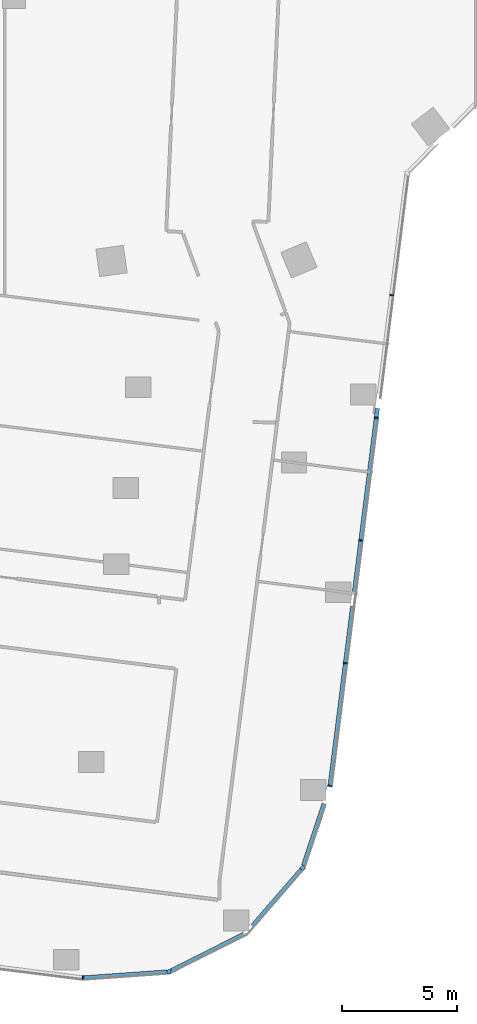
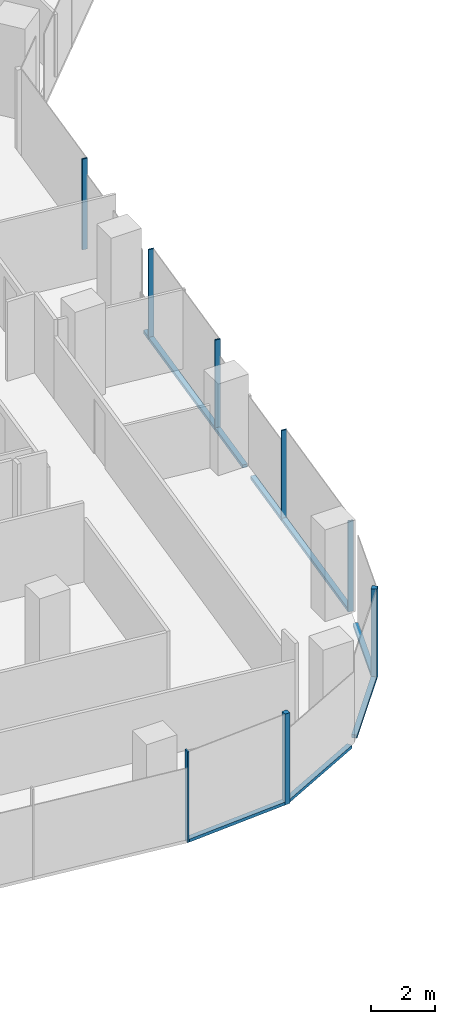
# One storey, part 4 of 27: 14 members, 6 elements without a shape of their own.
"""IFC4 building model written with IfcOpenShell, lengths in metres."""

from ifc_helpers import new_model, si_unit, direction, frame, origin, origin_2d, place, context, subcontext, project, spatial, rectangle, extrude, material, material_profile, profile_set, type_object, element, aggregate, save


model = new_model("IFC4")

# Units and contexts
model_context = context("Model", 3, precision=1e-05, world=origin(), true_north=direction((0.0, 1.0)))
body_context = subcontext(model_context, "Body", "Model", "MODEL_VIEW")
ifc_project = project(units=[si_unit("LENGTHUNIT", "METRE"), si_unit("AREAUNIT", "SQUARE_METRE"), si_unit("VOLUMEUNIT", "CUBIC_METRE"), si_unit("PLANEANGLEUNIT", "RADIAN"), si_unit("MASSUNIT", "GRAM", prefix="KILO")], contexts=[model_context])

# Site, building, storey
site_placement = place(None, origin())
site = spatial("IfcSite", under=ifc_project, at=site_placement, CompositionType="ELEMENT")
building_placement = place(site_placement, origin())
building = spatial("IfcBuilding", under=site, at=building_placement, Name="Orlundy Tower", CompositionType="ELEMENT")
storey_placement = place(building_placement, frame((0.0, 0.0, 202.60009765625)))
storey = spatial("IfcBuildingStorey", under=building, at=storey_placement, Name="L53", CompositionType="ELEMENT", Elevation=202.60009765625)

# Curtain wall, member
ifc_material_1 = material(Name="Aluminium bronze anodised", Category="aluminium")
curtain_wall_type = type_object("IfcCurtainWallType", Name="CW1 wall", PredefinedType="NOTDEFINED", material=ifc_material_1)
curtain_wall_1_placement = place(storey_placement, origin())
curtain_wall_1 = element("IfcCurtainWall", 1, at=curtain_wall_1_placement, inside=storey, type_object=curtain_wall_type, Name="CW1 run 020", PredefinedType="NOTDEFINED")
ifc_material_2 = material(Name="Aluminium bronze anodised", Category="aluminium")
ifc_material_profile_1 = material_profile(ifc_material_2, rectangle(XDim=0.179931640625, YDim=0.179931640625, at=origin_2d()), Name="CW1 corner post 180x180")
ifc_profile_set_1 = profile_set([ifc_material_profile_1], Name="Aluminium bronze anodised")
member_type_1 = type_object("IfcMemberType", Name="CW1 corner post 180x180", PredefinedType="MULLION", material=ifc_profile_set_1)
member_1_placement = place(storey_placement, frame((12.5146484375, -55.66650390625, -0.420166015625), z_axis=(0.0, 0.0, 1.0), x_axis=(0.755626772005, -0.655002428568, 0.0)))
member_1 = element("IfcMember", 2, at=member_1_placement, type_object=member_type_1, Name="CW1 mullion 50", PredefinedType="MULLION", context=body_context, shape_type="SweptSolid", body=[
    extrude(rectangle(XDim=0.179931640625, YDim=0.179931640625, at=origin_2d()), origin(), (0.0, 0.0, 1.0), 3.469970703125),
])

curtain_wall_2_placement = place(storey_placement, origin())
curtain_wall_2 = element("IfcCurtainWall", 3, at=curtain_wall_2_placement, inside=storey, type_object=curtain_wall_type, Name="CW1 run 022", PredefinedType="NOTDEFINED")
member_2_placement = place(storey_placement, frame((6.71630859375, -60.16943359375, -0.420166015625), z_axis=(0.0, 0.0, 1.0), x_axis=(0.071227876188, -0.997460069203, 0.0)))
member_2 = element("IfcMember", 4, at=member_2_placement, type_object=member_type_1, Name="CW1 mullion 52", PredefinedType="MULLION", context=body_context, shape_type="SweptSolid", body=[
    extrude(rectangle(XDim=0.179931640625, YDim=0.179931640625, at=origin_2d()), origin(), (0.0, 0.0, 1.0), 3.469970703125),
])

# Curtain wall, members
curtain_wall_3_placement = place(storey_placement, origin())
curtain_wall_3 = element("IfcCurtainWall", 5, at=curtain_wall_3_placement, inside=storey, type_object=curtain_wall_type, Name="CW1 run 018", PredefinedType="NOTDEFINED")
ifc_material_3 = material(Name="Aluminium bronze anodised", Category="aluminium")
ifc_material_profile_2 = material_profile(ifc_material_3, rectangle(XDim=0.179931640625, YDim=0.050048828125, at=origin_2d()), Name="CW1 mullion 50x180")
ifc_profile_set_2 = profile_set([ifc_material_profile_2], Name="Aluminium bronze anodised")
member_type_2 = type_object("IfcMemberType", Name="CW1 mullion 50x180", PredefinedType="MULLION", material=ifc_profile_set_2)
member_3_placement = place(storey_placement, frame((16.3681640625, -30.85595703125, -0.420166015625), z_axis=(0.0, 0.0, 1.0), x_axis=(0.992189164773, -0.124742379758, 0.0)))
member_3 = element("IfcMember", 6, at=member_3_placement, type_object=member_type_2, Name="CW1 mullion 45", PredefinedType="MULLION", context=body_context, shape_type="SweptSolid", body=[
    extrude(rectangle(XDim=0.179931640625, YDim=0.050048828125, at=origin_2d()), origin(), (0.0, 0.0, 1.0), 3.469970703125),
])
member_4_placement = place(storey_placement, frame((15.699951171875, -36.1708984375, -0.420166015625), z_axis=(0.0, 0.0, 1.0), x_axis=(0.992189164773, -0.124742379758, 0.0)))
member_4 = element("IfcMember", 7, at=member_4_placement, type_object=member_type_2, Name="CW1 mullion 46", PredefinedType="MULLION", context=body_context, shape_type="SweptSolid", body=[
    extrude(rectangle(XDim=0.179931640625, YDim=0.050048828125, at=origin_2d()), origin(), (0.0, 0.0, 1.0), 3.469970703125),
])
member_5_placement = place(storey_placement, frame((15.03173828125, -41.485595703125, -0.420166015625), z_axis=(0.0, 0.0, 1.0), x_axis=(0.992189164773, -0.124742379758, 0.0)))
member_5 = element("IfcMember", 8, at=member_5_placement, type_object=member_type_2, Name="CW1 mullion 47", PredefinedType="MULLION", context=body_context, shape_type="SweptSolid", body=[
    extrude(rectangle(XDim=0.179931640625, YDim=0.050048828125, at=origin_2d()), origin(), (0.0, 0.0, 1.0), 3.469970703125),
])
member_6_placement = place(storey_placement, frame((14.363525390625, -46.800537109375, -0.420166015625), z_axis=(0.0, 0.0, 1.0), x_axis=(0.992189164773, -0.124742379758, 0.0)))
member_6 = element("IfcMember", 9, at=member_6_placement, type_object=member_type_2, Name="CW1 mullion 48", PredefinedType="MULLION", context=body_context, shape_type="SweptSolid", body=[
    extrude(rectangle(XDim=0.179931640625, YDim=0.050048828125, at=origin_2d()), origin(), (0.0, 0.0, 1.0), 3.469970703125),
])

# Curtain wall, member
curtain_wall_4_placement = place(storey_placement, origin())
curtain_wall_4 = element("IfcCurtainWall", 10, at=curtain_wall_4_placement, inside=storey, type_object=curtain_wall_type, Name="CW1 run 019", PredefinedType="NOTDEFINED")
member_7_placement = place(storey_placement, frame((13.694091796875, -52.1240234375, -0.420166015625), z_axis=(0.0, 0.0, 1.0), x_axis=(0.975185541669, -0.22138915809, 0.0)))
member_7 = element("IfcMember", 11, at=member_7_placement, type_object=member_type_2, Name="CW1 mullion 49", PredefinedType="MULLION", context=body_context, shape_type="SweptSolid", body=[
    extrude(rectangle(XDim=0.179931640625, YDim=0.050048828125, at=origin_2d()), origin(), (0.0, 0.0, 1.0), 3.469970703125),
])

curtain_wall_5_placement = place(storey_placement, origin())
curtain_wall_5 = element("IfcCurtainWall", 12, at=curtain_wall_5_placement, inside=storey, type_object=curtain_wall_type, Name="CW1 run 023", PredefinedType="NOTDEFINED")
member_8_placement = place(storey_placement, frame((2.99267578125, -60.435302734375, -0.420166015625), z_axis=(0.0, 0.0, 1.0), x_axis=(-0.026896328745, -0.999638228311, 0.0)))
member_8 = element("IfcMember", 13, at=member_8_placement, type_object=member_type_2, Name="CW1 mullion 53", PredefinedType="MULLION", context=body_context, shape_type="SweptSolid", body=[
    extrude(rectangle(XDim=0.179931640625, YDim=0.050048828125, at=origin_2d()), origin(), (0.0, 0.0, 1.0), 3.469970703125),
])
aggregate(curtain_wall_5, [member_8])

# Member
ifc_material_4 = material(Name="Aluminium bronze anodised", Category="aluminium")
ifc_material_profile_3 = material_profile(ifc_material_4, rectangle(XDim=0.179931640625, YDim=0.1201171875, at=origin_2d()), Name="CW1 transom 180x120")
ifc_profile_set_3 = profile_set([ifc_material_profile_3], Name="Aluminium bronze anodised")
member_type_3 = type_object("IfcMemberType", Name="CW1 transom 180x120", PredefinedType="USERDEFINED", material=ifc_profile_set_3)
member_9_placement = place(storey_placement, frame((15.751220703125, -35.761962890625, -0.360107421875), z_axis=(-0.124745048398, -0.992188829256, 0.0), x_axis=(0.992188829256, -0.124745048398, 0.0)))
member_9 = element("IfcMember", 14, at=member_9_placement, type_object=member_type_3, Name="CW1 transom", ObjectType="TRANSOM", PredefinedType="USERDEFINED", context=body_context, shape_type="SweptSolid", body=[
    extrude(rectangle(XDim=0.179931640625, YDim=0.1201171875, at=origin_2d()), origin(), (0.0, 0.0, 1.0), 7.994873046875),
])

member_10_placement = place(storey_placement, frame((14.67431640625, -44.327880859375, -0.360107421875), z_axis=(-0.124744431686, -0.992188906793, 0.0), x_axis=(0.992188906793, -0.124744431686, 0.0)))
member_10 = element("IfcMember", 15, at=member_10_placement, type_object=member_type_3, Name="CW1 transom", ObjectType="TRANSOM", PredefinedType="USERDEFINED", context=body_context, shape_type="SweptSolid", body=[
    extrude(rectangle(XDim=0.179931640625, YDim=0.1201171875, at=origin_2d()), origin(), (0.0, 0.0, 1.0), 7.83251953125),
])

aggregate(curtain_wall_3, [member_3, member_4, member_5, member_6, member_9, member_10])

member_11_placement = place(storey_placement, frame((13.437744140625, -52.89404296875, -0.360107421875), z_axis=(-0.315916586295, -0.948786967925, 0.0), x_axis=(0.948786967925, -0.315916586295, 0.0)))
member_11 = element("IfcMember", 16, at=member_11_placement, type_object=member_type_3, Name="CW1 transom", ObjectType="TRANSOM", PredefinedType="USERDEFINED", context=body_context, shape_type="SweptSolid", body=[
    extrude(rectangle(XDim=0.179931640625, YDim=0.1201171875, at=origin_2d()), origin(), (0.0, 0.0, 1.0), 2.82470703125),
])

aggregate(curtain_wall_4, [member_7, member_11])

member_12_placement = place(storey_placement, frame((12.455810546875, -55.734375, -0.360107421875), z_axis=(-0.654962174083, -0.755661664054, 0.0), x_axis=(0.755661664054, -0.654962174083, 0.0)))
member_12 = element("IfcMember", 17, at=member_12_placement, type_object=member_type_3, Name="CW1 transom", ObjectType="TRANSOM", PredefinedType="USERDEFINED", context=body_context, shape_type="SweptSolid", body=[
    extrude(rectangle(XDim=0.179931640625, YDim=0.1201171875, at=origin_2d()), origin(), (0.0, 0.0, 1.0), 3.231689453125),
])

aggregate(curtain_wall_1, [member_1, member_12])

# Curtain wall, member
curtain_wall_6_placement = place(storey_placement, origin())
curtain_wall_6 = element("IfcCurtainWall", 18, at=curtain_wall_6_placement, inside=storey, type_object=curtain_wall_type, Name="CW1 run 021", PredefinedType="NOTDEFINED")
member_13_placement = place(storey_placement, frame((9.954345703125, -58.549072265625, -0.360107421875), z_axis=(-0.894260832401, -0.447546158103, 0.0), x_axis=(0.447546158103, -0.894260832401, 0.0)))
member_13 = element("IfcMember", 19, at=member_13_placement, type_object=member_type_3, Name="CW1 transom", ObjectType="TRANSOM", PredefinedType="USERDEFINED", context=body_context, shape_type="SweptSolid", body=[
    extrude(rectangle(XDim=0.179931640625, YDim=0.1201171875, at=origin_2d()), origin(), (0.0, 0.0, 1.0), 3.5234375),
])
aggregate(curtain_wall_6, [member_13])

# Member
member_14_placement = place(storey_placement, frame((6.62646484375, -60.176025390625, -0.360107421875), z_axis=(-0.997462808518, -0.071189505005, 0.0), x_axis=(0.071189505005, -0.997462808518, 0.0)))
member_14 = element("IfcMember", 20, at=member_14_placement, type_object=member_type_3, Name="CW1 transom", ObjectType="TRANSOM", PredefinedType="USERDEFINED", context=body_context, shape_type="SweptSolid", body=[
    extrude(rectangle(XDim=0.179931640625, YDim=0.1201171875, at=origin_2d()), origin(), (0.0, 0.0, 1.0), 3.6181640625),
])

aggregate(curtain_wall_2, [member_2, member_14])

save(model, "model.ifc")
